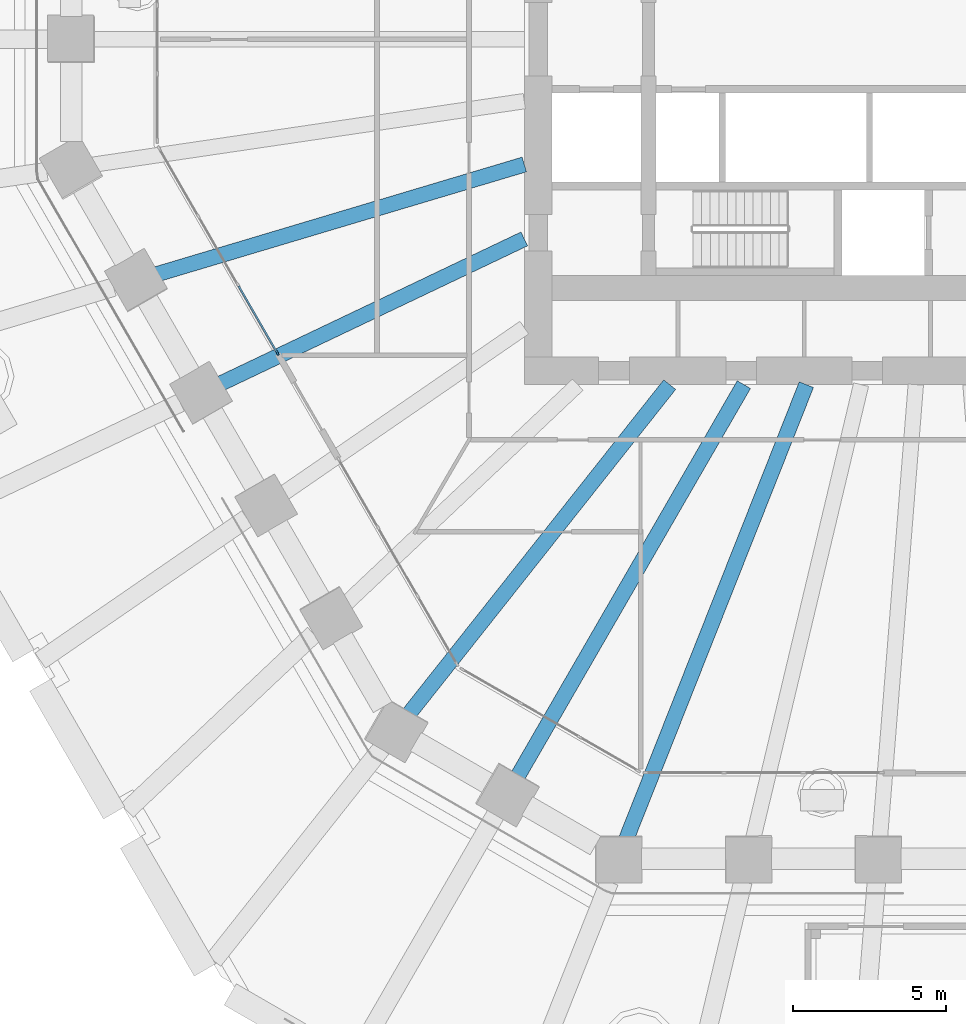
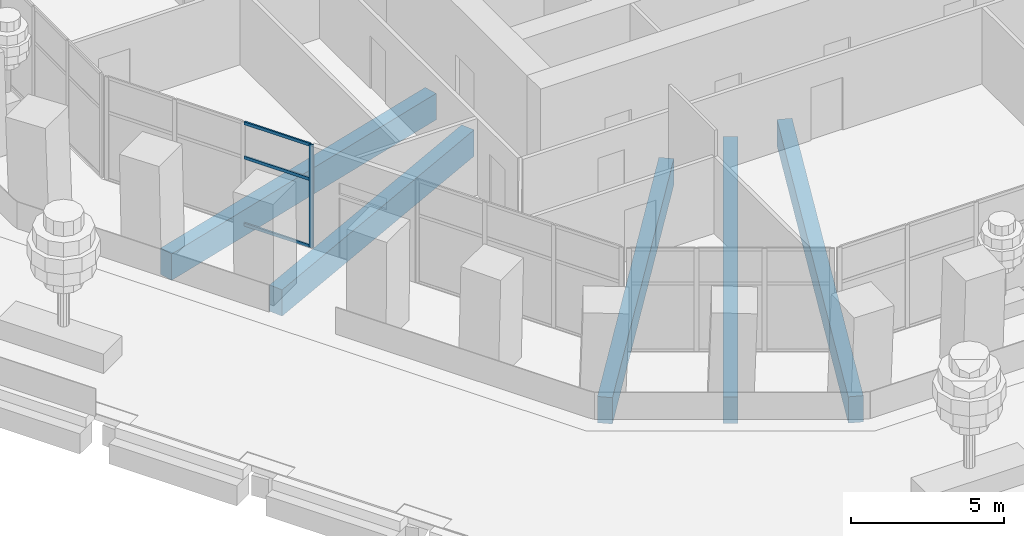
# One storey, part 5 of 32: 5 beams, 4 members, 1 element without a shape of its own.
"""IFC4 building model written with IfcOpenShell, lengths in metres."""

from ifc_helpers import new_model, si_unit, direction, frame, origin, origin_2d, place, context, subcontext, project, spatial, rectangle, extrude, material, material_profile, profile_set, type_object, element, aggregate, save


model = new_model("IFC4")

# Units and contexts
model_context = context("Model", 3, precision=1e-05, world=origin(), true_north=direction((0.0, 1.0)))
body_context = subcontext(model_context, "Body", "Model", "MODEL_VIEW")
ifc_project = project(units=[si_unit("LENGTHUNIT", "METRE"), si_unit("AREAUNIT", "SQUARE_METRE"), si_unit("VOLUMEUNIT", "CUBIC_METRE"), si_unit("PLANEANGLEUNIT", "RADIAN"), si_unit("MASSUNIT", "GRAM", prefix="KILO")], contexts=[model_context])

# Site, building, storey
site_placement = place(None, origin())
site = spatial("IfcSite", under=ifc_project, at=site_placement, CompositionType="ELEMENT")
building_placement = place(site_placement, origin())
building = spatial("IfcBuilding", under=site, at=building_placement, Name="Frailejon Research Tower", CompositionType="ELEMENT")
storey_placement = place(building_placement, frame((0.0, 0.0, 14.60009765625)))
storey = spatial("IfcBuildingStorey", under=building, at=storey_placement, Name="L03", CompositionType="ELEMENT", Elevation=14.60009765625)

# Curtain wall, members
ifc_material_1 = material(Name="Aluminium curtain wall", Category="aluminium")
curtain_wall_type = type_object("IfcCurtainWallType", Name="Base zone unitised curtain wall system", PredefinedType="NOTDEFINED", material=ifc_material_1)
curtain_wall_placement = place(storey_placement, origin())
curtain_wall = element("IfcCurtainWall", 1, at=curtain_wall_placement, inside=storey, type_object=curtain_wall_type, Name="Curtain wall L03", PredefinedType="NOTDEFINED")
ifc_material_2 = material(Name="Aluminium extrusion", Category="aluminium")
ifc_material_profile_1 = material_profile(ifc_material_2, rectangle(XDim=0.06005859375, YDim=0.159912109375, at=origin_2d()), Name="Base zone unitised curtain wall mullion 60x160")
ifc_profile_set_1 = profile_set([ifc_material_profile_1], Name="Aluminium extrusion")
member_type_1 = type_object("IfcMemberType", Name="Base zone unitised curtain wall mullion 60x160", PredefinedType="MULLION", material=ifc_profile_set_1)
member_1_placement = place(storey_placement, frame((-21.696044921875, -10.221435546875, 0.0), z_axis=(0.0, 0.0, 1.0), x_axis=(0.866029434533, 0.499993018474, 0.0)))
member_1 = element("IfcMember", 2, at=member_1_placement, type_object=member_type_1, Name="CW3-055 mullion 4", PredefinedType="MULLION", context=body_context, shape_type="SweptSolid", body=[
    extrude(rectangle(XDim=0.06005859375, YDim=0.159912109375, at=origin_2d()), origin(), (0.0, 0.0, 1.0), 4.099853515625),
])
ifc_material_3 = material(Name="Aluminium extrusion", Category="aluminium")
ifc_material_profile_2 = material_profile(ifc_material_3, rectangle(XDim=0.06005859375, YDim=0.1201171875, at=origin_2d()), Name="Base zone unitised curtain wall transom 60x120")
ifc_profile_set_2 = profile_set([ifc_material_profile_2], Name="Aluminium extrusion")
member_type_2 = type_object("IfcMemberType", Name="Base zone unitised curtain wall transom 60x120", PredefinedType="USERDEFINED", material=ifc_profile_set_2)
member_2_placement = place(storey_placement, frame((-22.9599609375, -8.0322265625, 0.02978515625), z_axis=(0.500007276137, -0.866021202864, 0.0), x_axis=(0.866021202864, 0.500007276137, 0.0)))
member_2 = element("IfcMember", 3, at=member_2_placement, type_object=member_type_2, Name="CW3-055 transom 3.1", ObjectType="TRANSOM", PredefinedType="USERDEFINED", context=body_context, shape_type="SweptSolid", body=[
    extrude(rectangle(XDim=0.06005859375, YDim=0.1201171875, at=origin_2d()), origin(), (0.0, 0.0, 1.0), 2.498046875),
])
member_3_placement = place(storey_placement, frame((-22.9599609375, -8.0322265625, 2.699951171875), z_axis=(0.500007276137, -0.866021202864, 0.0), x_axis=(0.866021202864, 0.500007276137, 0.0)))
member_3 = element("IfcMember", 4, at=member_3_placement, type_object=member_type_2, Name="CW3-055 transom 3.2", ObjectType="TRANSOM", PredefinedType="USERDEFINED", context=body_context, shape_type="SweptSolid", body=[
    extrude(rectangle(XDim=0.06005859375, YDim=0.1201171875, at=origin_2d()), origin(), (0.0, 0.0, 1.0), 2.498046875),
])
member_4_placement = place(storey_placement, frame((-22.9599609375, -8.0322265625, 4.06982421875), z_axis=(0.500007276137, -0.866021202864, 0.0), x_axis=(0.866021202864, 0.500007276137, 0.0)))
member_4 = element("IfcMember", 5, at=member_4_placement, type_object=member_type_2, Name="CW3-055 transom 3.3", ObjectType="TRANSOM", PredefinedType="USERDEFINED", context=body_context, shape_type="SweptSolid", body=[
    extrude(rectangle(XDim=0.06005859375, YDim=0.1201171875, at=origin_2d()), origin(), (0.0, 0.0, 1.0), 2.498046875),
])
aggregate(curtain_wall, [member_1, member_2, member_3, member_4])

# Beams
ifc_material_4 = material(Name="Concrete C60/75", Category="concrete")
ifc_material_profile_3 = material_profile(ifc_material_4, rectangle(XDim=0.5, YDim=1.050048828125, at=origin_2d()), Name="Girder 500x1050")
ifc_profile_set_3 = profile_set([ifc_material_profile_3], Name="Concrete C60/75")
beam_type = type_object("IfcBeamType", Name="Girder 500x1050", PredefinedType="BEAM", material=ifc_profile_set_3)
beam_1_placement = place(storey_placement, frame((-25.701904296875, -7.6748046875, -0.8251953125), z_axis=(0.958191455721, 0.286127828396, 0.0), x_axis=(-0.286127828396, 0.958191455721, 0.0)))
element("IfcBeam", 6, at=beam_1_placement, inside=storey, type_object=beam_type, Name="Girder 500x1050", PredefinedType="BEAM", context=body_context, shape_type="SweptSolid", body=[
    extrude(rectangle(XDim=0.5, YDim=1.050048828125, at=origin_2d()), origin(), (0.0, 0.0, 1.0), 12.577880859375),
])
beam_2_placement = place(storey_placement, frame((-23.63720703125, -11.258544921875, -0.8251953125), z_axis=(0.902826248809, 0.430005540036, 0.0), x_axis=(-0.430005540036, 0.902826248809, 0.0)))
element("IfcBeam", 7, at=beam_2_placement, inside=storey, type_object=beam_type, Name="Girder 500x1050", PredefinedType="BEAM", context=body_context, shape_type="SweptSolid", body=[
    extrude(rectangle(XDim=0.5, YDim=1.050048828125, at=origin_2d()), origin(), (0.0, 0.0, 1.0), 11.062255859375),
])
beam_3_placement = place(storey_placement, frame((-17.455322265625, -22.03564453125, -0.8251953125), z_axis=(0.620929245893, 0.783866615946, 0.0), x_axis=(-0.783866615946, 0.620929245893, 0.0)))
element("IfcBeam", 8, at=beam_3_placement, inside=storey, type_object=beam_type, Name="Girder 500x1050", PredefinedType="BEAM", context=body_context, shape_type="SweptSolid", body=[
    extrude(rectangle(XDim=0.5, YDim=1.050048828125, at=origin_2d()), origin(), (0.0, 0.0, 1.0), 13.759521484375),
])
beam_4_placement = place(storey_placement, frame((-13.906494140625, -24.086669921875, -0.8251953125), z_axis=(0.500006178988, 0.866021836315, 0.0), x_axis=(-0.866021836315, 0.500006178988, 0.0)))
element("IfcBeam", 9, at=beam_4_placement, inside=storey, type_object=beam_type, Name="Girder 500x1050", PredefinedType="BEAM", context=body_context, shape_type="SweptSolid", body=[
    extrude(rectangle(XDim=0.5, YDim=1.050048828125, at=origin_2d()), origin(), (0.0, 0.0, 1.0), 14.822509765625),
])
beam_5_placement = place(storey_placement, frame((-10.337890625, -26.089599609375, -0.8251953125), z_axis=(0.368379832469, 0.929675372929, 0.0), x_axis=(-0.929675372929, 0.368379832469, 0.0)))
element("IfcBeam", 10, at=beam_5_placement, inside=storey, type_object=beam_type, Name="Girder 500x1050", PredefinedType="BEAM", context=body_context, shape_type="SweptSolid", body=[
    extrude(rectangle(XDim=0.5, YDim=1.050048828125, at=origin_2d()), origin(), (0.0, 0.0, 1.0), 15.962158203125),
])

save(model, "model.ifc")
